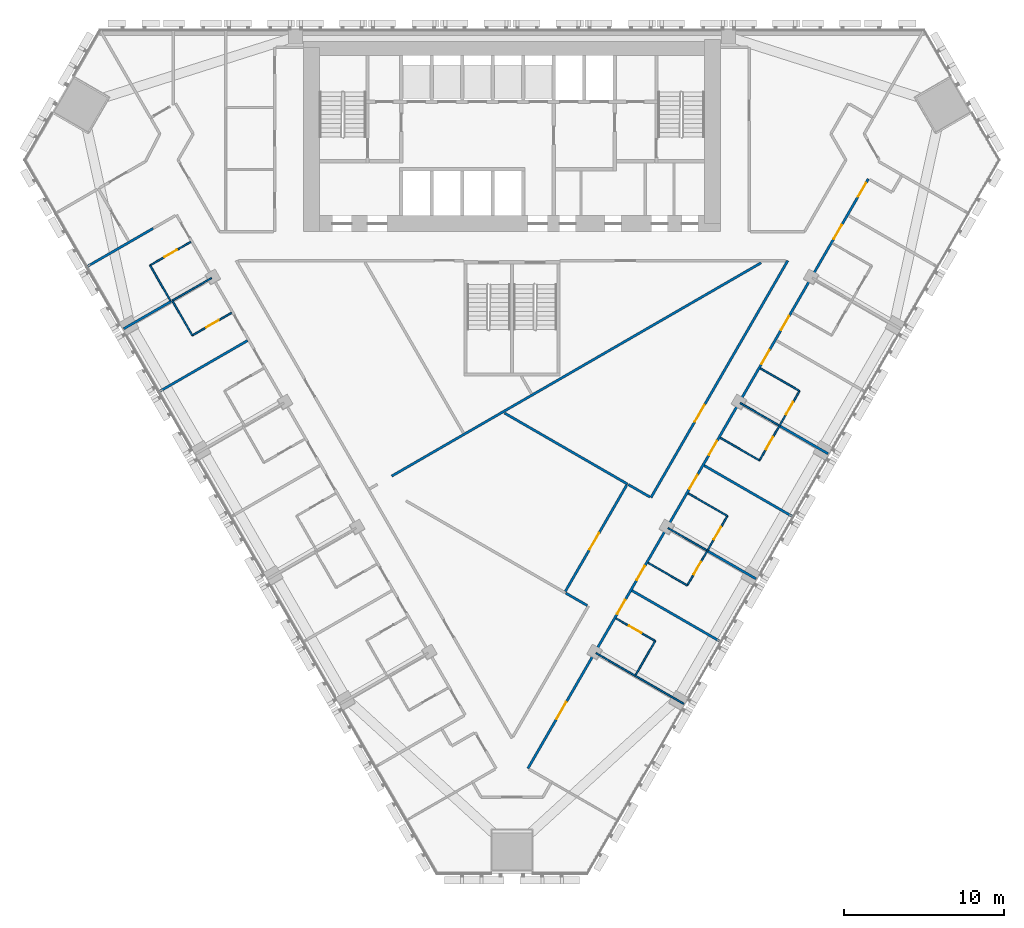
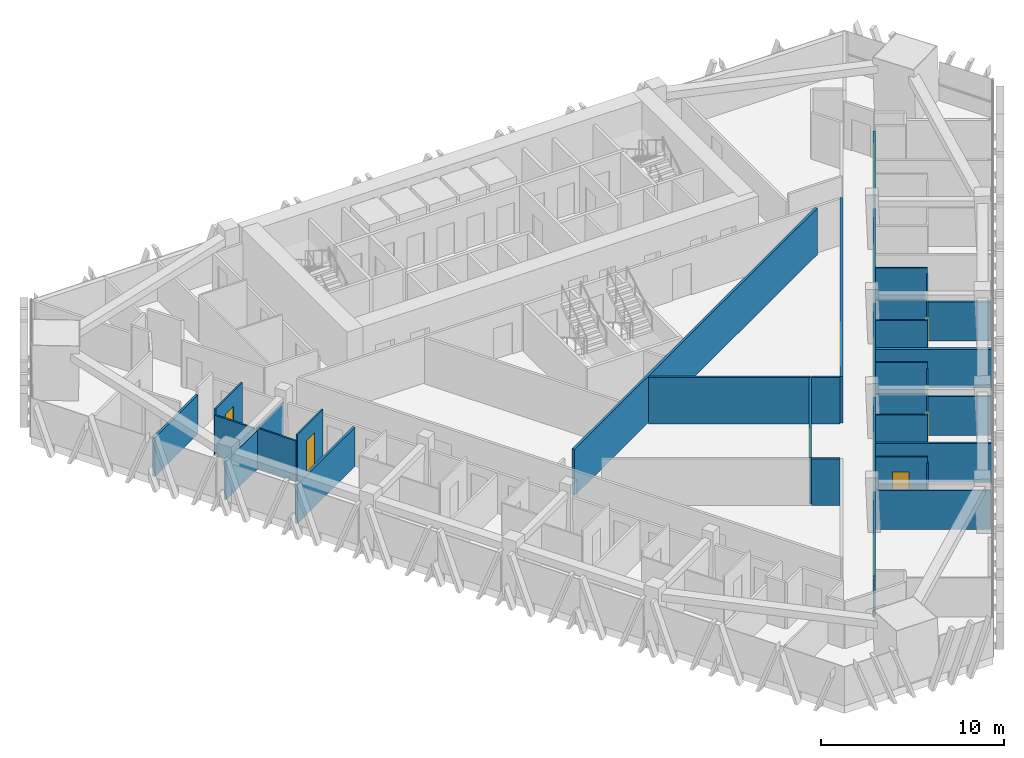
# One storey, part 10 of 17: 30 walls, 18 doors, 18 openings.
"""IFC4 building model written with IfcOpenShell, lengths in metres."""

from ifc_helpers import new_model, si_unit, direction, frame, frame_2d, origin, place, context, subcontext, project, spatial, rectangle, extrude, material, layer, layer_set, type_object, element, fill, save


model = new_model("IFC4")

# Units and contexts
model_context = context("Model", 3, precision=1e-05, world=origin(), true_north=direction((0.0, 1.0)))
body_context = subcontext(model_context, "Body", "Model", "MODEL_VIEW")
ifc_project = project(units=[si_unit("LENGTHUNIT", "METRE"), si_unit("AREAUNIT", "SQUARE_METRE"), si_unit("VOLUMEUNIT", "CUBIC_METRE"), si_unit("PLANEANGLEUNIT", "RADIAN"), si_unit("MASSUNIT", "GRAM", prefix="KILO")], contexts=[model_context])

# Site, building, storey
site_placement = place(None, origin())
site = spatial("IfcSite", under=ifc_project, at=site_placement, CompositionType="ELEMENT")
building_placement = place(site_placement, origin())
building = spatial("IfcBuilding", under=site, at=building_placement, Name="Altiplano Prism Tower", CompositionType="ELEMENT")
storey_placement = place(building_placement, frame((0.0, 0.0, 55.800048828125)))
storey = spatial("IfcBuildingStorey", under=building, at=storey_placement, Name="L13", CompositionType="ELEMENT", Elevation=55.800048828125)

# Wall
ifc_material_1 = material(Name="Plasterboard on steel stud", Category="steel")
ifc_layer_1 = layer(ifc_material_1, 0.10009765625)
ifc_layer_set_1 = layer_set([ifc_layer_1], Name="Plasterboard on steel stud")
wall_type_1 = type_object("IfcWallType", Name="Partition 100 unit", PredefinedType="PARTITIONING", material=ifc_layer_set_1)
wall_1_placement = place(storey_placement, frame((63.697021484375, 88.11474609375, 0.0), z_axis=(0.0, 0.0, 1.0), x_axis=(-0.50001820224, 0.866014894461, 0.0)))
element("IfcWall", 1, at=wall_1_placement, inside=storey, type_object=wall_type_1, Name="Partition P02 L13 054", PredefinedType="PARTITIONING", context=body_context, shape_type="SweptSolid", body=[
    extrude(rectangle(XDim=2.52490234375, YDim=0.10009765625, at=frame_2d((1.262451171875, 0.0))), origin(), (0.0, 0.0, 1.0), 2.699951171875),
])

# Wall, opening, door
wall_2_placement = place(storey_placement, frame((62.4345703125, 90.30126953125, 0.0), z_axis=(0.0, 0.0, 1.0), x_axis=(0.865989585315, 0.500062034277, 0.0)))
wall_2 = element("IfcWall", 2, at=wall_2_placement, inside=storey, type_object=wall_type_1, Name="Partition P02 L13 055", PredefinedType="PARTITIONING", context=body_context, shape_type="SweptSolid", body=[
    extrude(rectangle(XDim=2.925048828125, YDim=0.10009765625, at=frame_2d((1.46240234375, 0.0))), origin(), (0.0, 0.0, 1.0), 3.099853515625),
])
opening_1_placement = place(wall_2_placement, frame((1.050048828125, 0.0, 0.0)))
opening_1 = element("IfcOpeningElement", 3, at=opening_1_placement, cuts=wall_2, Name="Opening D0529", PredefinedType="OPENING", context=body_context, shape_type="SweptSolid", body=[
    extrude(rectangle(XDim=0.89990234375, YDim=2.10009765625, at=frame_2d((0.449951171875, 1.050048828125))), frame((0.0, 0.060546875, 0.0), z_axis=(0.0, -1.0, 0.0), x_axis=(1.0, 0.0, 0.0)), (0.0, 0.0, 1.0), 0.12109375),
])
ifc_material_2 = material(Name="Timber", Category="wood")
door_type_1 = type_object("IfcDoorType", Name="Ensuite door 900 x 2100", OperationType="NOTDEFINED", PredefinedType="NOTDEFINED", material=ifc_material_2)
door_1_placement = place(opening_1_placement, origin())
door_1 = element("IfcDoor", 4, at=door_1_placement, inside=storey, type_object=door_type_1, Name="Door D0529", OperationType="SINGLE_SWING_LEFT", OverallHeight=2.10009765625, OverallWidth=0.89990234375, PredefinedType="NOTDEFINED", context=body_context, shape_type="SweptSolid", body=[
    extrude(rectangle(XDim=0.89990234375, YDim=2.10009765625, at=frame_2d((0.449951171875, 1.050048828125))), frame((0.0, 0.02490234375, 0.0), z_axis=(0.0, -1.0, 0.0), x_axis=(1.0, 0.0, 0.0)), (0.0, 0.0, 1.0), 0.050048828125),
])
fill(opening_1, door_1)

wall_3_placement = place(storey_placement, frame((67.517578125, 87.34716796875, 0.0), z_axis=(0.0, 0.0, 1.0), x_axis=(-0.866011447264, -0.500024172624, 0.0)))
wall_3 = element("IfcWall", 5, at=wall_3_placement, inside=storey, type_object=wall_type_1, Name="Partition P02 L13 058", PredefinedType="PARTITIONING", context=body_context, shape_type="SweptSolid", body=[
    extrude(rectangle(XDim=2.824951171875, YDim=0.10009765625, at=frame_2d((1.41259765625, 0.0))), origin(), (0.0, 0.0, 1.0), 3.099853515625),
])
opening_2_placement = place(wall_3_placement, frame((0.925048828125, 0.0, 0.0)))
opening_2 = element("IfcOpeningElement", 6, at=opening_2_placement, cuts=wall_3, Name="Opening D0531", PredefinedType="OPENING", context=body_context, shape_type="SweptSolid", body=[
    extrude(rectangle(XDim=0.89990234375, YDim=2.10009765625, at=frame_2d((0.449951171875, 1.050048828125))), frame((0.0, 0.060546875, 0.0), z_axis=(0.0, -1.0, 0.0), x_axis=(1.0, 0.0, 0.0)), (0.0, 0.0, 1.0), 0.12109375),
])
door_2_placement = place(opening_2_placement, origin())
door_2 = element("IfcDoor", 7, at=door_2_placement, inside=storey, type_object=door_type_1, Name="Door D0531", OperationType="SINGLE_SWING_LEFT", OverallHeight=2.10009765625, OverallWidth=0.89990234375, PredefinedType="NOTDEFINED", context=body_context, shape_type="SweptSolid", body=[
    extrude(rectangle(XDim=0.89990234375, YDim=2.10009765625, at=frame_2d((0.449951171875, 1.050048828125))), frame((0.0, 0.02490234375, 0.0), z_axis=(0.0, -1.0, 0.0), x_axis=(1.0, 0.0, 0.0)), (0.0, 0.0, 1.0), 0.050048828125),
])
fill(opening_2, door_2)

# Wall
wall_4_placement = place(storey_placement, frame((65.071044921875, 85.9345703125, 0.0), z_axis=(0.0, 0.0, 1.0), x_axis=(-0.500004234368, 0.866022959057, 0.0)))
element("IfcWall", 8, at=wall_4_placement, inside=storey, type_object=wall_type_1, Name="Partition P02 L13 059", PredefinedType="PARTITIONING", context=body_context, shape_type="SweptSolid", body=[
    extrude(rectangle(XDim=2.5, YDim=0.10009765625, at=frame_2d((1.25, 0.0))), origin(), (0.0, 0.0, 1.0), 2.699951171875),
])

# Wall, opening, door
wall_5_placement = place(storey_placement, frame((91.482421875, 68.294677734375, 0.0), z_axis=(0.0, 0.0, 1.0), x_axis=(0.866011447264, -0.500024172624, 0.0)))
wall_5 = element("IfcWall", 9, at=wall_5_placement, inside=storey, type_object=wall_type_1, Name="Partition P02 L13 087", PredefinedType="PARTITIONING", context=body_context, shape_type="SweptSolid", body=[
    extrude(rectangle(XDim=2.824951171875, YDim=0.10009765625, at=frame_2d((1.41259765625, 0.0))), origin(), (0.0, 0.0, 1.0), 3.099853515625),
])
opening_3_placement = place(wall_5_placement, frame((0.925048828125, 0.0, 0.0)))
opening_3 = element("IfcOpeningElement", 10, at=opening_3_placement, cuts=wall_5, Name="Opening D0548", PredefinedType="OPENING", context=body_context, shape_type="SweptSolid", body=[
    extrude(rectangle(XDim=0.89990234375, YDim=2.10009765625, at=frame_2d((0.449951171875, 1.050048828125))), frame((0.0, 0.060546875, 0.0), z_axis=(0.0, -1.0, 0.0), x_axis=(1.0, 0.0, 0.0)), (0.0, 0.0, 1.0), 0.12109375),
])
door_3_placement = place(opening_3_placement, origin())
door_3 = element("IfcDoor", 11, at=door_3_placement, inside=storey, type_object=door_type_1, Name="Door D0548", OperationType="SINGLE_SWING_LEFT", OverallHeight=2.10009765625, OverallWidth=0.89990234375, PredefinedType="NOTDEFINED", context=body_context, shape_type="SweptSolid", body=[
    extrude(rectangle(XDim=0.89990234375, YDim=2.10009765625, at=frame_2d((0.449951171875, 1.050048828125))), frame((0.0, 0.02490234375, 0.0), z_axis=(0.0, -1.0, 0.0), x_axis=(1.0, 0.0, 0.0)), (0.0, 0.0, 1.0), 0.050048828125),
])
fill(opening_3, door_3)

# Walls
wall_6_placement = place(storey_placement, frame((93.928955078125, 66.882080078125, 0.0), z_axis=(0.0, 0.0, 1.0), x_axis=(-0.500018594424, -0.866014668023, 0.0)))
element("IfcWall", 12, at=wall_6_placement, inside=storey, type_object=wall_type_1, Name="Partition P02 L13 088", PredefinedType="PARTITIONING", context=body_context, shape_type="SweptSolid", body=[
    extrude(rectangle(XDim=2.4501953125, YDim=0.10009765625, at=frame_2d((1.22509765625, 0.0))), origin(), (0.0, 0.0, 1.0), 2.699951171875),
])
for number, where, z_axis, x_axis, name in (
    (13, (95.928955078125, 70.34619140625, 0.0), (0.0, 0.0, 1.0), (-0.866011447264, 0.500024172624, 0.0), "Partition P02 L13 090"),
    (14, (95.982421875, 76.0888671875, 0.0), (0.0, 0.0, 1.0), (0.866011447264, -0.500024172624, 0.0), "Partition P02 L13 093"),
):
    element("IfcWall", number, at=place(storey_placement, frame(where, z_axis=z_axis, x_axis=x_axis)), inside=storey, type_object=wall_type_1, Name=name, PredefinedType="PARTITIONING", context=body_context, shape_type="SweptSolid", body=[
        extrude(rectangle(XDim=2.824951171875, YDim=0.10009765625, at=frame_2d((1.41259765625, 0.0))), origin(), (0.0, 0.0, 1.0), 3.099853515625),
    ])

# Wall, openings, doors
wall_7_placement = place(storey_placement, frame((98.428955078125, 74.67626953125, 0.0), z_axis=(0.0, 0.0, 1.0), x_axis=(-0.500004234368, -0.866022959057, 0.0)))
wall_7 = element("IfcWall", 15, at=wall_7_placement, inside=storey, type_object=wall_type_1, Name="Partition P02 L13 094", PredefinedType="PARTITIONING", context=body_context, shape_type="SweptSolid", body=[
    extrude(rectangle(XDim=5.0, YDim=0.10009765625, at=frame_2d((2.5, 0.0))), origin(), (0.0, 0.0, 1.0), 2.699951171875),
])
opening_4_placement = place(wall_7_placement, frame((3.300048828125, 0.0, 0.0)))
opening_4 = element("IfcOpeningElement", 16, at=opening_4_placement, cuts=wall_7, Name="Opening D0550", PredefinedType="OPENING", context=body_context, shape_type="SweptSolid", body=[
    extrude(rectangle(XDim=0.89990234375, YDim=2.10009765625, at=frame_2d((0.449951171875, 1.050048828125))), frame((0.0, 0.060546875, 0.0), z_axis=(0.0, -1.0, 0.0), x_axis=(1.0, 0.0, 0.0)), (0.0, 0.0, 1.0), 0.12109375),
])
opening_5_placement = place(wall_7_placement, frame((0.800048828125, 0.0, 0.0)))
opening_5 = element("IfcOpeningElement", 17, at=opening_5_placement, cuts=wall_7, Name="Opening D0552", PredefinedType="OPENING", context=body_context, shape_type="SweptSolid", body=[
    extrude(rectangle(XDim=0.89990234375, YDim=2.10009765625, at=frame_2d((0.449951171875, 1.050048828125))), frame((0.0, 0.060546875, 0.0), z_axis=(0.0, -1.0, 0.0), x_axis=(1.0, 0.0, 0.0)), (0.0, 0.0, 1.0), 0.12109375),
])
door_4_placement = place(opening_4_placement, origin())
door_4 = element("IfcDoor", 18, at=door_4_placement, inside=storey, type_object=door_type_1, Name="Door D0550", OperationType="SINGLE_SWING_RIGHT", OverallHeight=2.10009765625, OverallWidth=0.89990234375, PredefinedType="NOTDEFINED", context=body_context, shape_type="SweptSolid", body=[
    extrude(rectangle(XDim=0.89990234375, YDim=2.10009765625, at=frame_2d((0.449951171875, 1.050048828125))), frame((0.0, 0.02490234375, 0.0), z_axis=(0.0, -1.0, 0.0), x_axis=(1.0, 0.0, 0.0)), (0.0, 0.0, 1.0), 0.050048828125),
])
fill(opening_4, door_4)
door_5_placement = place(opening_5_placement, origin())
door_5 = element("IfcDoor", 19, at=door_5_placement, inside=storey, type_object=door_type_1, Name="Door D0552", OperationType="SINGLE_SWING_LEFT", OverallHeight=2.10009765625, OverallWidth=0.89990234375, PredefinedType="NOTDEFINED", context=body_context, shape_type="SweptSolid", body=[
    extrude(rectangle(XDim=0.89990234375, YDim=2.10009765625, at=frame_2d((0.449951171875, 1.050048828125))), frame((0.0, 0.02490234375, 0.0), z_axis=(0.0, -1.0, 0.0), x_axis=(1.0, 0.0, 0.0)), (0.0, 0.0, 1.0), 0.050048828125),
])
fill(opening_5, door_5)

# Walls
for number, where, z_axis, x_axis, name in (
    (20, (100.428955078125, 78.140380859375, 0.0), (0.0, 0.0, 1.0), (-0.866011447264, 0.500024172624, 0.0), "Partition P02 L13 096"),
    (21, (100.482421875, 83.883056640625, 0.0), (0.0, 0.0, 1.0), (0.866011447264, -0.500024172624, 0.0), "Partition P02 L13 099"),
):
    element("IfcWall", number, at=place(storey_placement, frame(where, z_axis=z_axis, x_axis=x_axis)), inside=storey, type_object=wall_type_1, Name=name, PredefinedType="PARTITIONING", context=body_context, shape_type="SweptSolid", body=[
        extrude(rectangle(XDim=2.824951171875, YDim=0.10009765625, at=frame_2d((1.41259765625, 0.0))), origin(), (0.0, 0.0, 1.0), 3.099853515625),
    ])

# Wall, openings, doors
wall_8_placement = place(storey_placement, frame((102.928955078125, 82.470458984375, 0.0), z_axis=(0.0, 0.0, 1.0), x_axis=(-0.500004234368, -0.866022959057, 0.0)))
wall_8 = element("IfcWall", 22, at=wall_8_placement, inside=storey, type_object=wall_type_1, Name="Partition P02 L13 100", PredefinedType="PARTITIONING", context=body_context, shape_type="SweptSolid", body=[
    extrude(rectangle(XDim=5.0, YDim=0.10009765625, at=frame_2d((2.5, 0.0))), origin(), (0.0, 0.0, 1.0), 2.699951171875),
])
opening_6_placement = place(wall_8_placement, frame((3.300048828125, 0.0, 0.0)))
opening_6 = element("IfcOpeningElement", 23, at=opening_6_placement, cuts=wall_8, Name="Opening D0554", PredefinedType="OPENING", context=body_context, shape_type="SweptSolid", body=[
    extrude(rectangle(XDim=0.89990234375, YDim=2.10009765625, at=frame_2d((0.449951171875, 1.050048828125))), frame((0.0, 0.060546875, 0.0), z_axis=(0.0, -1.0, 0.0), x_axis=(1.0, 0.0, 0.0)), (0.0, 0.0, 1.0), 0.12109375),
])
opening_7_placement = place(wall_8_placement, frame((0.800048828125, 0.0, 0.0)))
opening_7 = element("IfcOpeningElement", 24, at=opening_7_placement, cuts=wall_8, Name="Opening D0556", PredefinedType="OPENING", context=body_context, shape_type="SweptSolid", body=[
    extrude(rectangle(XDim=0.89990234375, YDim=2.10009765625, at=frame_2d((0.449951171875, 1.050048828125))), frame((0.0, 0.060546875, 0.0), z_axis=(0.0, -1.0, 0.0), x_axis=(1.0, 0.0, 0.0)), (0.0, 0.0, 1.0), 0.12109375),
])
door_6_placement = place(opening_6_placement, origin())
door_6 = element("IfcDoor", 25, at=door_6_placement, inside=storey, type_object=door_type_1, Name="Door D0554", OperationType="SINGLE_SWING_RIGHT", OverallHeight=2.10009765625, OverallWidth=0.89990234375, PredefinedType="NOTDEFINED", context=body_context, shape_type="SweptSolid", body=[
    extrude(rectangle(XDim=0.89990234375, YDim=2.10009765625, at=frame_2d((0.449951171875, 1.050048828125))), frame((0.0, 0.02490234375, 0.0), z_axis=(0.0, -1.0, 0.0), x_axis=(1.0, 0.0, 0.0)), (0.0, 0.0, 1.0), 0.050048828125),
])
fill(opening_6, door_6)
door_7_placement = place(opening_7_placement, origin())
door_7 = element("IfcDoor", 26, at=door_7_placement, inside=storey, type_object=door_type_1, Name="Door D0556", OperationType="SINGLE_SWING_LEFT", OverallHeight=2.10009765625, OverallWidth=0.89990234375, PredefinedType="NOTDEFINED", context=body_context, shape_type="SweptSolid", body=[
    extrude(rectangle(XDim=0.89990234375, YDim=2.10009765625, at=frame_2d((0.449951171875, 1.050048828125))), frame((0.0, 0.02490234375, 0.0), z_axis=(0.0, -1.0, 0.0), x_axis=(1.0, 0.0, 0.0)), (0.0, 0.0, 1.0), 0.050048828125),
])
fill(opening_7, door_7)

# Walls
ifc_layer_2 = layer(ifc_material_1, 0.10009765625)
ifc_layer_set_2 = layer_set([ifc_layer_2], Name="Plasterboard on steel stud")
wall_type_2 = type_object("IfcWallType", Name="Partition 100 wet", PredefinedType="PARTITIONING", material=ifc_layer_set_2)
wall_9_placement = place(storey_placement, frame((63.821044921875, 88.099609375, 0.0), z_axis=(0.0, 0.0, 1.0), x_axis=(0.866011447264, 0.500024172624, 0.0)))
element("IfcWall", 27, at=wall_9_placement, inside=storey, type_object=wall_type_2, Name="Partition P03 L13 057", PredefinedType="PARTITIONING", context=body_context, shape_type="SweptSolid", body=[
    extrude(rectangle(XDim=2.824951171875, YDim=0.10009765625, at=frame_2d((1.41259765625, 0.0))), origin(), (0.0, 0.0, 1.0), 2.699951171875),
])
wall_10_placement = place(storey_placement, frame((95.7099609375, 62.967041015625, 0.0), z_axis=(0.0, 0.0, 1.0), x_axis=(-0.866032601554, 0.49998753289, 0.0)))
element("IfcWall", 28, at=wall_10_placement, inside=storey, type_object=wall_type_2, Name="Partition P03 L13 086", PredefinedType="PARTITIONING", context=body_context, shape_type="SweptSolid", body=[
    extrude(rectangle(XDim=6.324951171875, YDim=0.10009765625, at=frame_2d((3.16259765625, 0.0))), origin(), (0.0, 0.0, 1.0), 2.599853515625),
])
for number, where, z_axis, x_axis, name in (
    (29, (97.1357421875, 72.5361328125, 0.0), (0.0, 0.0, 1.0), (-0.86600392025, 0.500037208726, 0.0), "Partition P03 L13 092"),
    (30, (101.6357421875, 80.33056640625, 0.0), (0.0, 0.0, 1.0), (-0.866042014628, 0.499971228071, 0.0), "Partition P03 L13 098"),
):
    element("IfcWall", number, at=place(storey_placement, frame(where, z_axis=z_axis, x_axis=x_axis)), inside=storey, type_object=wall_type_2, Name=name, PredefinedType="PARTITIONING", context=body_context, shape_type="SweptSolid", body=[
        extrude(rectangle(XDim=2.775146484375, YDim=0.10009765625, at=frame_2d((1.3876953125, 0.0))), origin(), (0.0, 0.0, 1.0), 2.699951171875),
    ])

# Wall, openings, doors
ifc_layer_3 = layer(ifc_material_1, 0.14990234375)
ifc_layer_set_3 = layer_set([ifc_layer_3], Name="Plasterboard on steel stud")
wall_type_3 = type_object("IfcWallType", Name="Partition 150 corridor", PredefinedType="PARTITIONING", material=ifc_layer_set_3)
wall_11_placement = place(storey_placement, frame((85.990234375, 58.931884765625, 0.0), z_axis=(0.0, 0.0, 1.0), x_axis=(0.500001547762, 0.866024510182, 0.0)))
wall_11 = element("IfcWall", 31, at=wall_11_placement, inside=storey, type_object=wall_type_3, Name="Partition P06 L13 022", PredefinedType="PARTITIONING", context=body_context, shape_type="SweptSolid", body=[
    extrude(rectangle(XDim=42.454345703125, YDim=0.14990234375, at=frame_2d((21.22705078125, 0.0))), origin(), (0.0, 0.0, 1.0), 2.699951171875),
])
opening_8_placement = place(wall_11_placement, frame((3.576904296875, 0.0, 0.0)))
opening_8 = element("IfcOpeningElement", 32, at=opening_8_placement, cuts=wall_11, Name="Opening D0546", PredefinedType="OPENING", context=body_context, shape_type="SweptSolid", body=[
    extrude(rectangle(XDim=1.199951171875, YDim=2.10009765625, at=frame_2d((0.60009765625, 1.050048828125))), frame((0.0, 0.08544921875, 0.0), z_axis=(0.0, -1.0, 0.0), x_axis=(1.0, 0.0, 0.0)), (0.0, 0.0, 1.0), 0.1708984375),
])
opening_9_placement = place(wall_11_placement, frame((11.134033203125, 0.0, 0.0)))
opening_9 = element("IfcOpeningElement", 33, at=opening_9_placement, cuts=wall_11, Name="Opening D0547", PredefinedType="OPENING", context=body_context, shape_type="SweptSolid", body=[
    extrude(rectangle(XDim=1.0, YDim=2.10009765625, at=frame_2d((0.5, 1.050048828125))), frame((0.0, 0.08544921875, 0.0), z_axis=(0.0, -1.0, 0.0), x_axis=(1.0, 0.0, 0.0)), (0.0, 0.0, 1.0), 0.1708984375),
])
opening_10_placement = place(wall_11_placement, frame((13.574951171875, 0.0, 0.0)))
opening_10 = element("IfcOpeningElement", 34, at=opening_10_placement, cuts=wall_11, Name="Opening D0549", PredefinedType="OPENING", context=body_context, shape_type="SweptSolid", body=[
    extrude(rectangle(XDim=1.0, YDim=2.10009765625, at=frame_2d((0.5, 1.050048828125))), frame((0.0, 0.08544921875, 0.0), z_axis=(0.0, -1.0, 0.0), x_axis=(1.0, 0.0, 0.0)), (0.0, 0.0, 1.0), 0.1708984375),
])
opening_11_placement = place(wall_11_placement, frame((20.134033203125, 0.0, 0.0)))
opening_11 = element("IfcOpeningElement", 35, at=opening_11_placement, cuts=wall_11, Name="Opening D0551", PredefinedType="OPENING", context=body_context, shape_type="SweptSolid", body=[
    extrude(rectangle(XDim=1.0, YDim=2.10009765625, at=frame_2d((0.5, 1.050048828125))), frame((0.0, 0.08544921875, 0.0), z_axis=(0.0, -1.0, 0.0), x_axis=(1.0, 0.0, 0.0)), (0.0, 0.0, 1.0), 0.1708984375),
])
opening_12_placement = place(wall_11_placement, frame((22.574951171875, 0.0, 0.0)))
opening_12 = element("IfcOpeningElement", 36, at=opening_12_placement, cuts=wall_11, Name="Opening D0553", PredefinedType="OPENING", context=body_context, shape_type="SweptSolid", body=[
    extrude(rectangle(XDim=1.0, YDim=2.10009765625, at=frame_2d((0.5, 1.050048828125))), frame((0.0, 0.08544921875, 0.0), z_axis=(0.0, -1.0, 0.0), x_axis=(1.0, 0.0, 0.0)), (0.0, 0.0, 1.0), 0.1708984375),
])
opening_13_placement = place(wall_11_placement, frame((29.134033203125, 0.0, 0.0)))
opening_13 = element("IfcOpeningElement", 37, at=opening_13_placement, cuts=wall_11, Name="Opening D0555", PredefinedType="OPENING", context=body_context, shape_type="SweptSolid", body=[
    extrude(rectangle(XDim=1.0, YDim=2.10009765625, at=frame_2d((0.5, 1.050048828125))), frame((0.0, 0.08544921875, 0.0), z_axis=(0.0, -1.0, 0.0), x_axis=(1.0, 0.0, 0.0)), (0.0, 0.0, 1.0), 0.1708984375),
])
opening_14_placement = place(wall_11_placement, frame((31.574951171875, 0.0, 0.0)))
opening_14 = element("IfcOpeningElement", 38, at=opening_14_placement, cuts=wall_11, Name="Opening D0557", PredefinedType="OPENING", context=body_context, shape_type="SweptSolid", body=[
    extrude(rectangle(XDim=1.0, YDim=2.10009765625, at=frame_2d((0.5, 1.050048828125))), frame((0.0, 0.08544921875, 0.0), z_axis=(0.0, -1.0, 0.0), x_axis=(1.0, 0.0, 0.0)), (0.0, 0.0, 1.0), 0.1708984375),
])
opening_15_placement = place(wall_11_placement, frame((38.134033203125, 0.0, 0.0)))
opening_15 = element("IfcOpeningElement", 39, at=opening_15_placement, cuts=wall_11, Name="Opening D0559", PredefinedType="OPENING", context=body_context, shape_type="SweptSolid", body=[
    extrude(rectangle(XDim=1.0, YDim=2.10009765625, at=frame_2d((0.5, 1.050048828125))), frame((0.0, 0.08544921875, 0.0), z_axis=(0.0, -1.0, 0.0), x_axis=(1.0, 0.0, 0.0)), (0.0, 0.0, 1.0), 0.1708984375),
])
opening_16_placement = place(wall_11_placement, frame((41.160888671875, 0.0, 0.0)))
opening_16 = element("IfcOpeningElement", 40, at=opening_16_placement, cuts=wall_11, Name="Opening D0561", PredefinedType="OPENING", context=body_context, shape_type="SweptSolid", body=[
    extrude(rectangle(XDim=1.0, YDim=2.10009765625, at=frame_2d((0.5, 1.050048828125))), frame((0.0, 0.08544921875, 0.0), z_axis=(0.0, -1.0, 0.0), x_axis=(1.0, 0.0, 0.0)), (0.0, 0.0, 1.0), 0.1708984375),
])
door_type_2 = type_object("IfcDoorType", Name="Bedroom entrance door 1000 x 2100", OperationType="NOTDEFINED", PredefinedType="NOTDEFINED", material=ifc_material_2)
door_8_placement = place(opening_9_placement, origin())
door_8 = element("IfcDoor", 41, at=door_8_placement, inside=storey, type_object=door_type_2, Name="Door D0547", OperationType="SINGLE_SWING_LEFT", OverallHeight=2.10009765625, OverallWidth=1.0, PredefinedType="NOTDEFINED", context=body_context, shape_type="SweptSolid", body=[
    extrude(rectangle(XDim=1.0, YDim=2.10009765625, at=frame_2d((0.5, 1.050048828125))), frame((0.0, 0.02490234375, 0.0), z_axis=(0.0, -1.0, 0.0), x_axis=(1.0, 0.0, 0.0)), (0.0, 0.0, 1.0), 0.050048828125),
])
fill(opening_9, door_8)
door_9_placement = place(opening_10_placement, origin())
door_9 = element("IfcDoor", 42, at=door_9_placement, inside=storey, type_object=door_type_2, Name="Door D0549", OperationType="SINGLE_SWING_LEFT", OverallHeight=2.10009765625, OverallWidth=1.0, PredefinedType="NOTDEFINED", context=body_context, shape_type="SweptSolid", body=[
    extrude(rectangle(XDim=1.0, YDim=2.10009765625, at=frame_2d((0.5, 1.050048828125))), frame((0.0, 0.02490234375, 0.0), z_axis=(0.0, -1.0, 0.0), x_axis=(1.0, 0.0, 0.0)), (0.0, 0.0, 1.0), 0.050048828125),
])
fill(opening_10, door_9)
door_10_placement = place(opening_11_placement, origin())
door_10 = element("IfcDoor", 43, at=door_10_placement, inside=storey, type_object=door_type_2, Name="Door D0551", OperationType="SINGLE_SWING_LEFT", OverallHeight=2.10009765625, OverallWidth=1.0, PredefinedType="NOTDEFINED", context=body_context, shape_type="SweptSolid", body=[
    extrude(rectangle(XDim=1.0, YDim=2.10009765625, at=frame_2d((0.5, 1.050048828125))), frame((0.0, 0.02490234375, 0.0), z_axis=(0.0, -1.0, 0.0), x_axis=(1.0, 0.0, 0.0)), (0.0, 0.0, 1.0), 0.050048828125),
])
fill(opening_11, door_10)
door_11_placement = place(opening_12_placement, origin())
door_11 = element("IfcDoor", 44, at=door_11_placement, inside=storey, type_object=door_type_2, Name="Door D0553", OperationType="SINGLE_SWING_RIGHT", OverallHeight=2.10009765625, OverallWidth=1.0, PredefinedType="NOTDEFINED", context=body_context, shape_type="SweptSolid", body=[
    extrude(rectangle(XDim=1.0, YDim=2.10009765625, at=frame_2d((0.5, 1.050048828125))), frame((0.0, 0.02490234375, 0.0), z_axis=(0.0, -1.0, 0.0), x_axis=(1.0, 0.0, 0.0)), (0.0, 0.0, 1.0), 0.050048828125),
])
fill(opening_12, door_11)
door_12_placement = place(opening_13_placement, origin())
door_12 = element("IfcDoor", 45, at=door_12_placement, inside=storey, type_object=door_type_2, Name="Door D0555", OperationType="SINGLE_SWING_LEFT", OverallHeight=2.10009765625, OverallWidth=1.0, PredefinedType="NOTDEFINED", context=body_context, shape_type="SweptSolid", body=[
    extrude(rectangle(XDim=1.0, YDim=2.10009765625, at=frame_2d((0.5, 1.050048828125))), frame((0.0, 0.02490234375, 0.0), z_axis=(0.0, -1.0, 0.0), x_axis=(1.0, 0.0, 0.0)), (0.0, 0.0, 1.0), 0.050048828125),
])
fill(opening_13, door_12)
door_13_placement = place(opening_14_placement, origin())
door_13 = element("IfcDoor", 46, at=door_13_placement, inside=storey, type_object=door_type_2, Name="Door D0557", OperationType="SINGLE_SWING_LEFT", OverallHeight=2.10009765625, OverallWidth=1.0, PredefinedType="NOTDEFINED", context=body_context, shape_type="SweptSolid", body=[
    extrude(rectangle(XDim=1.0, YDim=2.10009765625, at=frame_2d((0.5, 1.050048828125))), frame((0.0, 0.02490234375, 0.0), z_axis=(0.0, -1.0, 0.0), x_axis=(1.0, 0.0, 0.0)), (0.0, 0.0, 1.0), 0.050048828125),
])
fill(opening_14, door_13)
door_14_placement = place(opening_15_placement, origin())
door_14 = element("IfcDoor", 47, at=door_14_placement, inside=storey, type_object=door_type_2, Name="Door D0559", OperationType="SINGLE_SWING_RIGHT", OverallHeight=2.10009765625, OverallWidth=1.0, PredefinedType="NOTDEFINED", context=body_context, shape_type="SweptSolid", body=[
    extrude(rectangle(XDim=1.0, YDim=2.10009765625, at=frame_2d((0.5, 1.050048828125))), frame((0.0, 0.02490234375, 0.0), z_axis=(0.0, -1.0, 0.0), x_axis=(1.0, 0.0, 0.0)), (0.0, 0.0, 1.0), 0.050048828125),
])
fill(opening_15, door_14)
door_type_3 = type_object("IfcDoorType", Name="Room door 1000 x 2100", OperationType="NOTDEFINED", PredefinedType="NOTDEFINED", material=ifc_material_2)
door_15_placement = place(opening_16_placement, origin())
door_15 = element("IfcDoor", 48, at=door_15_placement, inside=storey, type_object=door_type_3, Name="Door D0561", OperationType="SINGLE_SWING_LEFT", OverallHeight=2.10009765625, OverallWidth=1.0, PredefinedType="NOTDEFINED", context=body_context, shape_type="SweptSolid", body=[
    extrude(rectangle(XDim=1.0, YDim=2.10009765625, at=frame_2d((0.5, 1.050048828125))), frame((0.0, 0.02490234375, 0.0), z_axis=(0.0, -1.0, 0.0), x_axis=(1.0, 0.0, 0.0)), (0.0, 0.0, 1.0), 0.050048828125),
])
fill(opening_16, door_15)
door_type_4 = type_object("IfcDoorType", Name="Shared room door 1200 x 2100", OperationType="NOTDEFINED", PredefinedType="NOTDEFINED", material=ifc_material_2)
door_16_placement = place(opening_8_placement, origin())
door_16 = element("IfcDoor", 49, at=door_16_placement, inside=storey, type_object=door_type_4, Name="Door D0546", OperationType="SINGLE_SWING_LEFT", OverallHeight=2.10009765625, OverallWidth=1.199951171875, PredefinedType="NOTDEFINED", context=body_context, shape_type="SweptSolid", body=[
    extrude(rectangle(XDim=1.199951171875, YDim=2.10009765625, at=frame_2d((0.60009765625, 1.050048828125))), frame((0.0, 0.02490234375, 0.0), z_axis=(0.0, -1.0, 0.0), x_axis=(1.0, 0.0, 0.0)), (0.0, 0.0, 1.0), 0.050048828125),
])
fill(opening_8, door_16)

# Wall, opening, door
wall_12_placement = place(storey_placement, frame((92.153564453125, 76.607177734375, 0.0), z_axis=(0.0, 0.0, 1.0), x_axis=(-0.499984506476, -0.86603434879, 0.0)))
wall_12 = element("IfcWall", 50, at=wall_12_placement, inside=storey, type_object=wall_type_3, Name="Partition P06 L13 028", PredefinedType="PARTITIONING", context=body_context, shape_type="SweptSolid", body=[
    extrude(rectangle(XDim=7.661376953125, YDim=0.14990234375, at=frame_2d((3.83056640625, 0.0))), origin(), (0.0, 0.0, 1.0), 3.099853515625),
])
opening_17_placement = place(wall_12_placement, frame((3.455078125, 0.0, 0.0)))
opening_17 = element("IfcOpeningElement", 51, at=opening_17_placement, cuts=wall_12, Name="Opening D0563", PredefinedType="OPENING", context=body_context, shape_type="SweptSolid", body=[
    extrude(rectangle(XDim=1.199951171875, YDim=2.10009765625, at=frame_2d((0.60009765625, 1.050048828125))), frame((0.0, 0.08544921875, 0.0), z_axis=(0.0, -1.0, 0.0), x_axis=(1.0, 0.0, 0.0)), (0.0, 0.0, 1.0), 0.1708984375),
])
door_17_placement = place(opening_17_placement, origin())
door_17 = element("IfcDoor", 52, at=door_17_placement, inside=storey, type_object=door_type_4, Name="Door D0563", OperationType="SINGLE_SWING_LEFT", OverallHeight=2.10009765625, OverallWidth=1.199951171875, PredefinedType="NOTDEFINED", context=body_context, shape_type="SweptSolid", body=[
    extrude(rectangle(XDim=1.199951171875, YDim=2.10009765625, at=frame_2d((0.60009765625, 1.050048828125))), frame((0.0, 0.02490234375, 0.0), z_axis=(0.0, -1.0, 0.0), x_axis=(1.0, 0.0, 0.0)), (0.0, 0.0, 1.0), 0.050048828125),
])
fill(opening_17, door_17)

wall_13_placement = place(storey_placement, frame((102.1953125, 90.60009765625, 0.0), z_axis=(0.0, 0.0, 1.0), x_axis=(-0.499999873444, -0.866025476852, 0.0)))
wall_13 = element("IfcWall", 53, at=wall_13_placement, inside=storey, type_object=wall_type_3, Name="Partition P06 L13 030", PredefinedType="PARTITIONING", context=body_context, shape_type="SweptSolid", body=[
    extrude(rectangle(XDim=17.06396484375, YDim=0.14990234375, at=frame_2d((8.531982421875, 0.0))), origin(), (0.0, 0.0, 1.0), 3.099853515625),
])
opening_18_placement = place(wall_13_placement, frame((10.40087890625, 0.0, 0.0)))
opening_18 = element("IfcOpeningElement", 54, at=opening_18_placement, cuts=wall_13, Name="Opening D0565", PredefinedType="OPENING", context=body_context, shape_type="SweptSolid", body=[
    extrude(rectangle(XDim=1.199951171875, YDim=2.10009765625, at=frame_2d((0.60009765625, 1.050048828125))), frame((0.0, 0.08544921875, 0.0), z_axis=(0.0, -1.0, 0.0), x_axis=(1.0, 0.0, 0.0)), (0.0, 0.0, 1.0), 0.1708984375),
])
door_18_placement = place(opening_18_placement, origin())
door_18 = element("IfcDoor", 55, at=door_18_placement, inside=storey, type_object=door_type_4, Name="Door D0565", OperationType="SINGLE_SWING_LEFT", OverallHeight=2.10009765625, OverallWidth=1.199951171875, PredefinedType="NOTDEFINED", context=body_context, shape_type="SweptSolid", body=[
    extrude(rectangle(XDim=1.199951171875, YDim=2.10009765625, at=frame_2d((0.60009765625, 1.050048828125))), frame((0.0, 0.02490234375, 0.0), z_axis=(0.0, -1.0, 0.0), x_axis=(1.0, 0.0, 0.0)), (0.0, 0.0, 1.0), 0.050048828125),
])
fill(opening_18, door_18)

# Walls
for number, where, z_axis, x_axis, name in (
    (56, (93.598388671875, 75.859619140625, 0.0), (0.0, 0.0, 1.0), (-0.865975732936, 0.500086022567, 0.0), "Partition P06 L13 031"),
    (57, (88.350341796875, 69.869873046875, 0.0), (0.0, 0.0, 1.0), (0.865975732936, -0.500086022567, 0.0), "Partition P06 L13 039"),
):
    element("IfcWall", number, at=place(storey_placement, frame(where, z_axis=z_axis, x_axis=x_axis)), inside=storey, type_object=wall_type_3, Name=name, PredefinedType="PARTITIONING", context=body_context, shape_type="SweptSolid", body=[
        extrude(rectangle(XDim=1.550048828125, YDim=0.14990234375, at=frame_2d((0.77490234375, 0.0))), origin(), (0.0, 0.0, 1.0), 3.099853515625),
    ])
wall_14_placement = place(storey_placement, frame((58.5224609375, 90.23681640625, 0.0), z_axis=(0.0, 0.0, 1.0), x_axis=(0.866028632512, 0.499994407638, 0.0)))
element("IfcWall", 58, at=wall_14_placement, inside=storey, type_object=wall_type_3, Name="Partition P06 L13 053", PredefinedType="PARTITIONING", context=body_context, shape_type="SweptSolid", body=[
    extrude(rectangle(XDim=4.740234375, YDim=0.14990234375, at=frame_2d((2.3701171875, 0.0))), origin(), (0.0, 0.0, 1.0), 2.599853515625),
])
ifc_layer_4 = layer(ifc_material_1, 0.14990234375)
ifc_layer_set_4 = layer_set([ifc_layer_4], Name="Plasterboard on steel stud")
wall_type_4 = type_object("IfcWallType", Name="Partition 150 party", PredefinedType="PARTITIONING", material=ifc_layer_set_4)
wall_15_placement = place(storey_placement, frame((60.7900390625, 86.349609375, 0.0), z_axis=(0.0, 0.0, 1.0), x_axis=(0.865989424415, 0.500062312919, 0.0)))
element("IfcWall", 59, at=wall_15_placement, inside=storey, type_object=wall_type_4, Name="Partition P01 L13 056", PredefinedType="PARTITIONING", context=body_context, shape_type="SweptSolid", body=[
    extrude(rectangle(XDim=3.419921875, YDim=0.14990234375, at=frame_2d((1.7099609375, 0.0))), origin(), (0.0, 0.0, 1.0), 2.599853515625),
])
for number, where, z_axis, x_axis, name in (
    (60, (63.0224609375, 82.4423828125, 0.0), (0.0, 0.0, 1.0), (0.866025401434, 0.500000004071, 0.0), "Partition P01 L13 060"),
    (61, (97.9775390625, 66.85400390625, 0.0), (0.0, 0.0, 1.0), (-0.866025401434, 0.500000004071, 0.0), "Partition P01 L13 089"),
):
    element("IfcWall", number, at=place(storey_placement, frame(where, z_axis=z_axis, x_axis=x_axis)), inside=storey, type_object=wall_type_4, Name=name, PredefinedType="PARTITIONING", context=body_context, shape_type="SweptSolid", body=[
        extrude(rectangle(XDim=6.34521484375, YDim=0.14990234375, at=frame_2d((3.172607421875, 0.0))), origin(), (0.0, 0.0, 1.0), 2.599853515625),
    ])
wall_16_placement = place(storey_placement, frame((100.2099609375, 70.76123046875, 0.0), z_axis=(0.0, 0.0, 1.0), x_axis=(-0.866013532718, 0.500020560727, 0.0)))
element("IfcWall", 62, at=wall_16_placement, inside=storey, type_object=wall_type_4, Name="Partition P01 L13 091", PredefinedType="PARTITIONING", context=body_context, shape_type="SweptSolid", body=[
    extrude(rectangle(XDim=3.449951171875, YDim=0.14990234375, at=frame_2d((1.72509765625, 0.0))), origin(), (0.0, 0.0, 1.0), 2.599853515625),
])
wall_17_placement = place(storey_placement, frame((102.4775390625, 74.648193359375, 0.0), z_axis=(0.0, 0.0, 1.0), x_axis=(-0.866025401434, 0.500000004071, 0.0)))
element("IfcWall", 63, at=wall_17_placement, inside=storey, type_object=wall_type_4, Name="Partition P01 L13 095", PredefinedType="PARTITIONING", context=body_context, shape_type="SweptSolid", body=[
    extrude(rectangle(XDim=6.34521484375, YDim=0.14990234375, at=frame_2d((3.172607421875, 0.0))), origin(), (0.0, 0.0, 1.0), 2.599853515625),
])
wall_18_placement = place(storey_placement, frame((104.7099609375, 78.555419921875, 0.0), z_axis=(0.0, 0.0, 1.0), x_axis=(-0.866013532718, 0.500020560727, 0.0)))
element("IfcWall", 64, at=wall_18_placement, inside=storey, type_object=wall_type_4, Name="Partition P01 L13 097", PredefinedType="PARTITIONING", context=body_context, shape_type="SweptSolid", body=[
    extrude(rectangle(XDim=3.449951171875, YDim=0.14990234375, at=frame_2d((1.72509765625, 0.0))), origin(), (0.0, 0.0, 1.0), 2.599853515625),
])
wall_19_placement = place(storey_placement, frame((92.20849609375, 76.662109375, 0.0), z_axis=(0.0, 0.0, 1.0), x_axis=(-0.8660209256, 0.500007756363, 0.0)))
element("IfcWall", 65, at=wall_19_placement, inside=storey, type_object=wall_type_4, Name="Partition P01 L13 110", PredefinedType="PARTITIONING", context=body_context, shape_type="SweptSolid", body=[
    extrude(rectangle(XDim=8.864013671875, YDim=0.14990234375, at=frame_2d((4.43212890625, 0.0))), origin(), (0.0, 0.0, 1.0), 3.099853515625),
])
wall_20_placement = place(storey_placement, frame((100.52880859375, 90.4599609375, 0.0), z_axis=(0.0, 0.0, 1.0), x_axis=(-0.866026416576, -0.499998245789, 0.0)))
element("IfcWall", 66, at=wall_20_placement, inside=storey, type_object=wall_type_4, Name="Partition P01 L13 114", PredefinedType="PARTITIONING", context=body_context, shape_type="SweptSolid", body=[
    extrude(rectangle(XDim=26.58984375, YDim=0.14990234375, at=frame_2d((13.294921875, 0.0))), origin(), (0.0, 0.0, 1.0), 3.099853515625),
])

save(model, "model.ifc")
